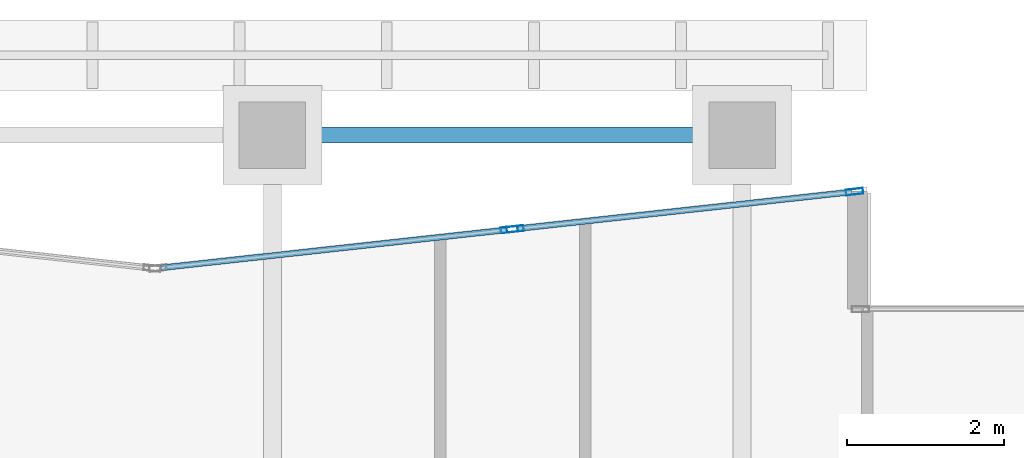
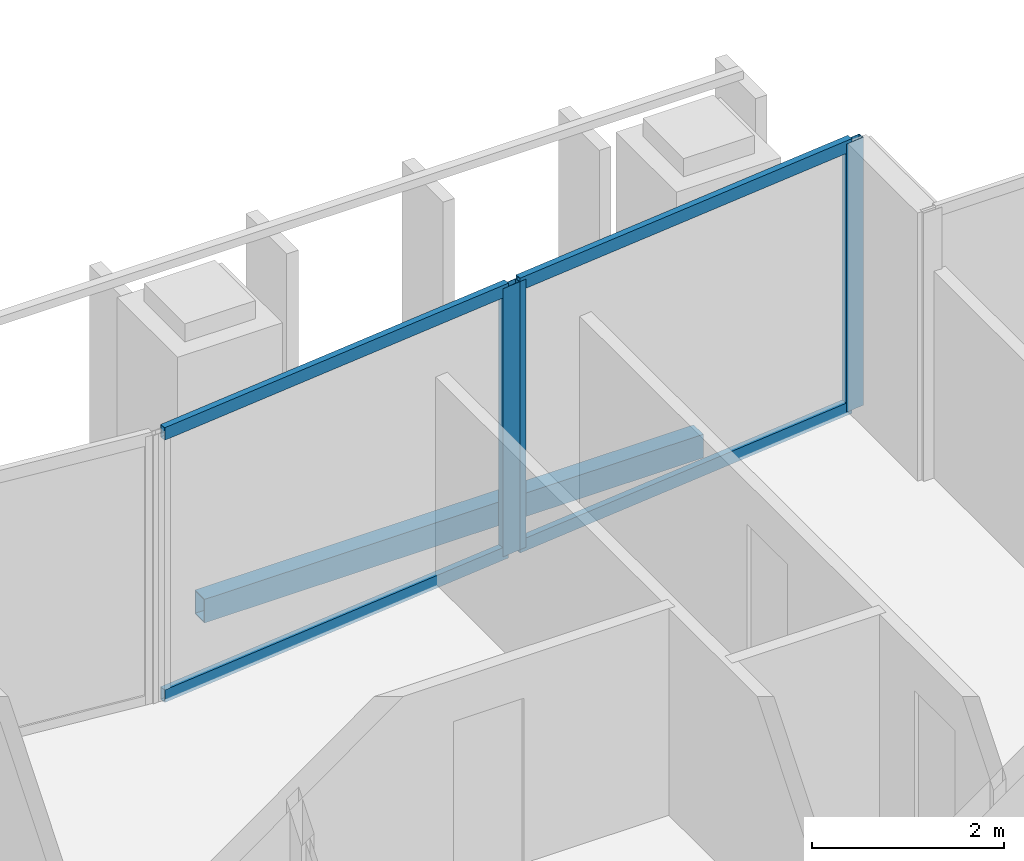
# One storey, part 11 of 29: 7 members, 1 beam, 2 elements without a shape of their own.
"""IFC4 building model written with IfcOpenShell, lengths in metres."""

from ifc_helpers import new_model, si_unit, direction, frame, origin, origin_2d, place, context, subcontext, project, spatial, hollow_rectangle, extrude, material, layer, layer_set, material_profile, profile_set, type_object, element, aggregate, save


model = new_model("IFC4")

# Units and contexts
model_context = context("Model", 3, precision=1e-05, world=origin(), true_north=direction((0.0, 1.0)))
body_context = subcontext(model_context, "Body", "Model", "MODEL_VIEW")
ifc_project = project(units=[si_unit("LENGTHUNIT", "METRE"), si_unit("AREAUNIT", "SQUARE_METRE"), si_unit("VOLUMEUNIT", "CUBIC_METRE"), si_unit("PLANEANGLEUNIT", "RADIAN"), si_unit("MASSUNIT", "GRAM", prefix="KILO")], contexts=[model_context])

# Site, building, storey
site_placement = place(None, origin())
site = spatial("IfcSite", under=ifc_project, at=site_placement, CompositionType="ELEMENT")
building_placement = place(site_placement, origin())
building = spatial("IfcBuilding", under=site, at=building_placement, Name="Tanjung Sevakor Pilgrim Tower", CompositionType="ELEMENT")
storey_placement = place(building_placement, frame((0.0, 0.0, 162.030029296875)))
storey = spatial("IfcBuildingStorey", under=building, at=storey_placement, Name="L45", CompositionType="ELEMENT", Elevation=162.030029296875)

# Beam
ifc_material_1 = material(Name="Steel S355J2", Category="steel")
ifc_material_profile_1 = material_profile(ifc_material_1, hollow_rectangle(XDim=0.199951171875, YDim=0.300048828125, WallThickness=0.012451171875, at=origin_2d()))
ifc_profile_set_1 = profile_set([ifc_material_profile_1], Name="Steel S355J2")
beam_type = type_object("IfcBeamType", Name="BM-B-SP3-RHS_300x200x12.5", PredefinedType="SPANDREL", material=ifc_profile_set_1)
beam_placement = place(storey_placement, frame((36.0, 54.0, -0.3701171875), z_axis=(1.0, 0.0, 0.0), x_axis=(0.0, 1.0, 0.0)))
element("IfcBeam", 1, at=beam_placement, inside=storey, type_object=beam_type, Name="L45 Spandrel MAIN N-06", PredefinedType="SPANDREL", context=body_context, shape_type="SweptSolid", body=[
    extrude(hollow_rectangle(XDim=0.199951171875, YDim=0.300048828125, WallThickness=0.012451171875, at=origin_2d()), origin(), (0.0, 0.0, 1.0), 6.0),
])

# Curtain wall, members
ifc_material_2 = material(Name="Aluminium 6063-T6 and Low-E Glass", Category="aluminium")
ifc_layer = layer(ifc_material_2, 0.199951171875)
ifc_layer_set = layer_set([ifc_layer], Name="CW-SYS-PRAY")
curtain_wall_type = type_object("IfcCurtainWallType", Name="CW-SYS-PRAY", PredefinedType="NOTDEFINED", material=ifc_layer_set)
curtain_wall_1_placement = place(storey_placement, origin())
curtain_wall_1 = element("IfcCurtainWall", 2, at=curtain_wall_1_placement, inside=storey, type_object=curtain_wall_type, Name="L45 Curtain Wall CW-PRY-L45-27", PredefinedType="NOTDEFINED")
ifc_material_3 = material(Name="Aluminium 6063-T6", Category="aluminium")
ifc_material_profile_2 = material_profile(ifc_material_3, hollow_rectangle(XDim=0.074951171875, YDim=0.219970703125, WallThickness=0.0048828125, at=origin_2d()))
ifc_profile_set_2 = profile_set([ifc_material_profile_2], Name="Aluminium 6063-T6")
member_type_1 = type_object("IfcMemberType", Name="TYPE-CWM-2", PredefinedType="MULLION", material=ifc_profile_set_2)
member_1_placement = place(storey_placement, frame((43.437744140625, 53.2763671875, 0.0), z_axis=(0.0, 0.0, 1.0), x_axis=(0.109241849142, -0.994015200284, 0.0)))
member_1 = element("IfcMember", 3, at=member_1_placement, type_object=member_type_1, Name="CW-PRY mullion 1", PredefinedType="MULLION", context=body_context, shape_type="SweptSolid", body=[
    extrude(hollow_rectangle(XDim=0.074951171875, YDim=0.219970703125, WallThickness=0.0048828125, at=origin_2d()), origin(), (0.0, 0.0, 1.0), 3.409912109375),
])
member_2_placement = place(storey_placement, frame((39.10107421875, 52.7998046875, 0.0), z_axis=(0.0, 0.0, 1.0), x_axis=(0.109241849142, -0.994015200284, 0.0)))
member_2 = element("IfcMember", 4, at=member_2_placement, type_object=member_type_1, Name="CW-PRY mullion 2", PredefinedType="MULLION", context=body_context, shape_type="SweptSolid", body=[
    extrude(hollow_rectangle(XDim=0.074951171875, YDim=0.219970703125, WallThickness=0.0048828125, at=origin_2d()), origin(), (0.0, 0.0, 1.0), 3.409912109375),
])

# Curtain wall, member
curtain_wall_2_placement = place(storey_placement, origin())
curtain_wall_2 = element("IfcCurtainWall", 5, at=curtain_wall_2_placement, inside=storey, type_object=curtain_wall_type, Name="L45 Curtain Wall CW-PRY-L45-28", PredefinedType="NOTDEFINED")
member_3_placement = place(storey_placement, frame((39.0263671875, 52.79150390625, 0.0), z_axis=(0.0, 0.0, 1.0), x_axis=(0.109231369397, -0.994016351948, 0.0)))
member_3 = element("IfcMember", 6, at=member_3_placement, type_object=member_type_1, Name="CW-PRY mullion 1", PredefinedType="MULLION", context=body_context, shape_type="SweptSolid", body=[
    extrude(hollow_rectangle(XDim=0.074951171875, YDim=0.219970703125, WallThickness=0.0048828125, at=origin_2d()), origin(), (0.0, 0.0, 1.0), 3.409912109375),
])

# Member
ifc_material_4 = material(Name="Aluminium 6063-T6", Category="aluminium")
ifc_material_profile_3 = material_profile(ifc_material_4, hollow_rectangle(XDim=0.074951171875, YDim=0.159912109375, WallThickness=0.00439453125, at=origin_2d()))
ifc_profile_set_3 = profile_set([ifc_material_profile_3], Name="Aluminium 6063-T6")
member_type_2 = type_object("IfcMemberType", Name="TYPE-CWT-2", PredefinedType="USERDEFINED", material=ifc_profile_set_3)
member_4_placement = place(storey_placement, frame((43.400390625, 53.272216796875, 0.037353515625), z_axis=(-0.994019075008, -0.109206586428, 0.0), x_axis=(0.109206586428, -0.994019075008, 0.0)))
member_4 = element("IfcMember", 7, at=member_4_placement, type_object=member_type_2, Name="CW-PRY transom 1.1", ObjectType="TRANSOM", PredefinedType="USERDEFINED", context=body_context, shape_type="SweptSolid", body=[
    extrude(hollow_rectangle(XDim=0.074951171875, YDim=0.159912109375, WallThickness=0.00439453125, at=origin_2d()), origin(), (0.0, 0.0, 1.0), 4.287841796875),
])

member_5_placement = place(storey_placement, frame((43.400390625, 53.272216796875, 3.37255859375), z_axis=(-0.994019075008, -0.109206586428, 0.0), x_axis=(0.109206586428, -0.994019075008, 0.0)))
member_5 = element("IfcMember", 8, at=member_5_placement, type_object=member_type_2, Name="CW-PRY transom 1.2", ObjectType="TRANSOM", PredefinedType="USERDEFINED", context=body_context, shape_type="SweptSolid", body=[
    extrude(hollow_rectangle(XDim=0.074951171875, YDim=0.159912109375, WallThickness=0.00439453125, at=origin_2d()), origin(), (0.0, 0.0, 1.0), 4.287841796875),
])

aggregate(curtain_wall_1, [member_1, member_2, member_4, member_5])

member_6_placement = place(storey_placement, frame((38.9892578125, 52.78759765625, 0.037353515625), z_axis=(-0.994017074626, -0.109224792749, 0.0), x_axis=(0.109224792749, -0.994017074626, 0.0)))
member_6 = element("IfcMember", 9, at=member_6_placement, type_object=member_type_2, Name="CW-PRY transom 1.1", ObjectType="TRANSOM", PredefinedType="USERDEFINED", context=body_context, shape_type="SweptSolid", body=[
    extrude(hollow_rectangle(XDim=0.074951171875, YDim=0.159912109375, WallThickness=0.00439453125, at=origin_2d()), origin(), (0.0, 0.0, 1.0), 4.44140625),
])

member_7_placement = place(storey_placement, frame((38.9892578125, 52.78759765625, 3.37255859375), z_axis=(-0.994017074626, -0.109224792749, 0.0), x_axis=(0.109224792749, -0.994017074626, 0.0)))
member_7 = element("IfcMember", 10, at=member_7_placement, type_object=member_type_2, Name="CW-PRY transom 1.2", ObjectType="TRANSOM", PredefinedType="USERDEFINED", context=body_context, shape_type="SweptSolid", body=[
    extrude(hollow_rectangle(XDim=0.074951171875, YDim=0.159912109375, WallThickness=0.00439453125, at=origin_2d()), origin(), (0.0, 0.0, 1.0), 4.44140625),
])

aggregate(curtain_wall_2, [member_3, member_6, member_7])

save(model, "model.ifc")
